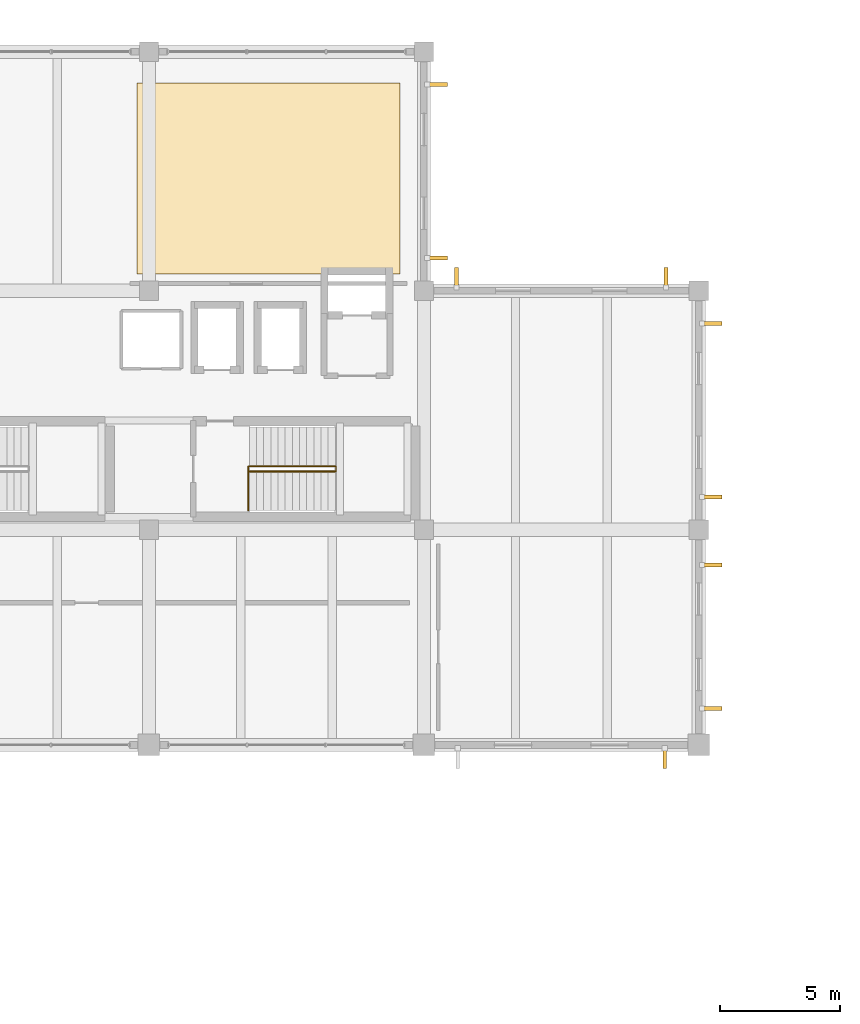
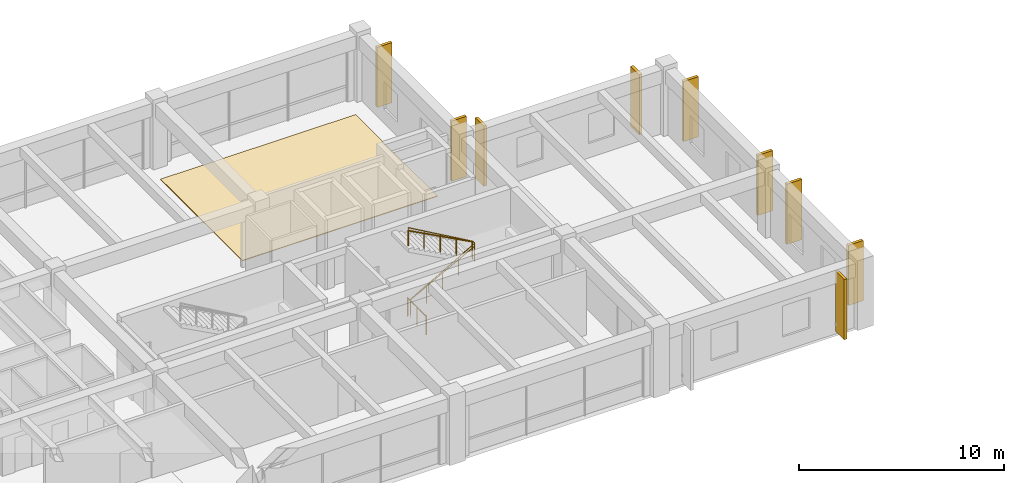
# One storey, part 33 of 33: 9 shading devices, 4 railings, 1 covering.
"""IFC4 building model written with IfcOpenShell, lengths in metres."""

from ifc_helpers import new_model, si_unit, direction, frame, origin, origin_2d, place, context, subcontext, project, spatial, polyline, rectangle, circle, outline, extrude, material, layer, layer_set, type_object, element, save


model = new_model("IFC4")

# Units and contexts
model_context = context("Model", 3, precision=1e-05, world=origin(), true_north=direction((0.0, 1.0)))
body_context = subcontext(model_context, "Body", "Model", "MODEL_VIEW")
ifc_project = project(units=[si_unit("LENGTHUNIT", "METRE"), si_unit("AREAUNIT", "SQUARE_METRE"), si_unit("VOLUMEUNIT", "CUBIC_METRE"), si_unit("PLANEANGLEUNIT", "RADIAN"), si_unit("MASSUNIT", "GRAM", prefix="KILO")], contexts=[model_context])

# Site, building, storey
site_placement = place(None, origin())
site = spatial("IfcSite", under=ifc_project, at=site_placement, CompositionType="ELEMENT")
building_placement = place(site_placement, origin())
building = spatial("IfcBuilding", under=site, at=building_placement, Name="Ologun Quay Terminus", CompositionType="ELEMENT")
storey_placement = place(building_placement, frame((0.0, 0.0, 18.300048828125)))
storey = spatial("IfcBuildingStorey", under=building, at=storey_placement, Name="L04", CompositionType="ELEMENT", Elevation=18.300048828125)

# Covering
ifc_material_1 = material(Name="Steel S355", Category="steel")
ifc_layer_1 = layer(ifc_material_1, 0.044921875)
ifc_layer_set_1 = layer_set([ifc_layer_1], Name="Steel S355")
covering_type = type_object("IfcCoveringType", Name="Anti-Static Raised Access Control Floor 45", PredefinedType="FLOORING", material=ifc_layer_set_1)
covering_placement = place(storey_placement, origin())
element("IfcCovering", 1, at=covering_placement, inside=storey, type_object=covering_type, Name="CV-FL3 Interior Flooring 15", PredefinedType="FLOORING", context=body_context, shape_type="SweptSolid", body=[
    extrude(outline(polyline([(137.5, 105.5), (148.5, 105.5), (148.5, 113.5), (137.5, 113.5), (137.5, 105.5)])), origin(), (0.0, 0.0, 1.0), 0.044921875),
])

# Shading devices
ifc_material_2 = material(Name="Concrete C40/50", Category="concrete")
ifc_layer_2 = layer(ifc_material_2, 0.159912109375)
ifc_layer_set_2 = layer_set([ifc_layer_2], Name="Concrete C40/50")
shading_device_type = type_object("IfcShadingDeviceType", Name="Operations Angled Precast Solar Fin 850x160", PredefinedType="USERDEFINED", material=ifc_layer_set_2)
shading_device_placement = place(storey_placement, frame((159.580078125, 85.2451171875, 0.14990234375), z_axis=(0.0, 0.0, 1.0), x_axis=(1.0, 0.0, 0.0)))
element("IfcShadingDevice", 2, at=shading_device_placement, inside=storey, type_object=shading_device_type, Name="SD-05 Vertical Solar Fin WEW-EW-L04-4-2", ObjectType="SOLAR FIN", PredefinedType="USERDEFINED", context=body_context, shape_type="SweptSolid", body=[
    extrude(rectangle(XDim=0.159912109375, YDim=0.85009765625, at=origin_2d()), origin(), (0.0, 0.0, 1.0), 3.590087890625),
])
for number, where, z_axis, x_axis, name in (
    (3, (161.554931640625, 87.320068359375, 0.14990234375), (0.0, 0.0, 1.0), (1.0, 0.0, 0.0), "SD-05 Vertical Solar Fin WEW-EW-L04-5-1"),
    (4, (161.554931640625, 93.330078125, 0.14990234375), (0.0, 0.0, 1.0), (1.0, 0.0, 0.0), "SD-05 Vertical Solar Fin WEW-EW-L04-5-2"),
    (5, (161.554931640625, 96.169921875, 0.14990234375), (0.0, 0.0, 1.0), (1.0, 0.0, 0.0), "SD-05 Vertical Solar Fin WEW-EW-L04-6-1"),
    (6, (161.554931640625, 103.429931640625, 0.14990234375), (0.0, 0.0, 1.0), (1.0, 0.0, 0.0), "SD-05 Vertical Solar Fin WEW-EW-L04-6-2"),
):
    element("IfcShadingDevice", number, at=place(storey_placement, frame(where, z_axis=z_axis, x_axis=x_axis)), inside=storey, type_object=shading_device_type, Name=name, ObjectType="SOLAR FIN", PredefinedType="USERDEFINED", context=body_context, shape_type="SweptSolid", body=[
        extrude(rectangle(XDim=0.85009765625, YDim=0.159912109375, at=origin_2d()), origin(), (0.0, 0.0, 1.0), 3.590087890625),
    ])
for number, where, z_axis, x_axis, name in (
    (7, (150.8701171875, 105.35498046875, 0.14990234375), (0.0, 0.0, 1.0), (1.0, 0.0, 0.0), "SD-05 Vertical Solar Fin WEW-EW-L04-7-1"),
    (8, (159.6298828125, 105.35498046875, 0.14990234375), (0.0, 0.0, 1.0), (1.0, 0.0, 0.0), "SD-05 Vertical Solar Fin WEW-EW-L04-7-2"),
):
    element("IfcShadingDevice", number, at=place(storey_placement, frame(where, z_axis=z_axis, x_axis=x_axis)), inside=storey, type_object=shading_device_type, Name=name, ObjectType="SOLAR FIN", PredefinedType="USERDEFINED", context=body_context, shape_type="SweptSolid", body=[
        extrude(rectangle(XDim=0.159912109375, YDim=0.85009765625, at=origin_2d()), origin(), (0.0, 0.0, 1.0), 3.590087890625),
    ])
for number, where, z_axis, x_axis, name in (
    (9, (150.054931640625, 106.169921875, 0.14990234375), (0.0, 0.0, 1.0), (1.0, 0.0, 0.0), "SD-05 Vertical Solar Fin WEW-EW-L04-8-1"),
    (10, (150.054931640625, 113.429931640625, 0.14990234375), (0.0, 0.0, 1.0), (1.0, 0.0, 0.0), "SD-05 Vertical Solar Fin WEW-EW-L04-8-2"),
):
    element("IfcShadingDevice", number, at=place(storey_placement, frame(where, z_axis=z_axis, x_axis=x_axis)), inside=storey, type_object=shading_device_type, Name=name, ObjectType="SOLAR FIN", PredefinedType="USERDEFINED", context=body_context, shape_type="SweptSolid", body=[
        extrude(rectangle(XDim=0.85009765625, YDim=0.159912109375, at=origin_2d()), origin(), (0.0, 0.0, 1.0), 3.590087890625),
    ])

# Railings
ifc_material_3 = material(Name="Steel S355", Category="steel")
railing_type_1 = type_object("IfcRailingType", Name="Stair & Landing Steel Guardrail 1100", PredefinedType="GUARDRAIL", material=ifc_material_3)
railing_1_placement = place(storey_placement, frame((142.159912109375, 97.43994140625, 0.0)))
element("IfcRailing", 11, at=railing_1_placement, inside=storey, type_object=railing_type_1, Name="GR-ST Stair Floor Edge Guard ST-E2 L04", PredefinedType="GUARDRAIL", context=body_context, shape_type="SweptSolid", body=[
    extrude(circle(Radius=0.02392578125, at=origin_2d()), frame((0.0, 0.0, 1.076171875), z_axis=(0.0, -1.0, 0.0), x_axis=(1.0, 0.0, 0.0)), (0.0, 0.0, 1.0), 1.829833984375),
    extrude(circle(Radius=0.02099609375, at=origin_2d()), origin(), (0.0, 0.0, 1.0), 1.052001953125),
    extrude(circle(Radius=0.02099609375, at=origin_2d()), frame((0.0, -0.9150390625, 0.0)), (0.0, 0.0, 1.0), 1.052001953125),
    extrude(circle(Radius=0.02099609375, at=origin_2d()), frame((0.0, -1.829833984375, 0.0)), (0.0, 0.0, 1.0), 1.052001953125),
])
railing_2_placement = place(storey_placement, frame((142.199951171875, 97.25, 0.0)))
element("IfcRailing", 12, at=railing_2_placement, inside=storey, type_object=railing_type_1, Name="GR-ST Stair Inner Well Guard ST-E2 L04", PredefinedType="GUARDRAIL", context=body_context, shape_type="SweptSolid", body=[
    extrude(circle(Radius=0.02392578125, at=origin_2d()), frame((0.0, 0.0, 1.076171875), z_axis=(0.867678783561, 0.0, 0.497125264453), x_axis=(0.0, 1.0, 0.0)), (0.0, 0.0, 1.0), 4.183837890625),
    extrude(circle(Radius=0.02392578125, at=origin_2d()), frame((3.630126953125, 0.0, 3.15576171875), z_axis=(0.0, 1.0, 0.0), x_axis=(-1.0, 0.0, 0.0)), (0.0, 0.0, 1.0), 0.199951171875),
    extrude(circle(Radius=0.02392578125, at=origin_2d()), frame((3.630126953125, 0.199951171875, 3.15576171875), z_axis=(-0.867653612089, 0.0, 0.497169195978), x_axis=(0.0, -1.0, 0.0)), (0.0, 0.0, 1.0), 4.183837890625),
    extrude(circle(Radius=0.02099609375, at=origin_2d()), origin(), (0.0, 0.0, 1.0), 1.052001953125),
    extrude(circle(Radius=0.02099609375, at=origin_2d()), frame((0.907470703125, 0.0, 0.52001953125)), (0.0, 0.0, 1.0), 1.052001953125),
    extrude(circle(Radius=0.02099609375, at=origin_2d()), frame((1.81494140625, 0.0, 1.0400390625)), (0.0, 0.0, 1.0), 1.052001953125),
    extrude(circle(Radius=0.02099609375, at=origin_2d()), frame((2.72265625, 0.0, 1.559814453125)), (0.0, 0.0, 1.0), 1.052001953125),
    extrude(circle(Radius=0.02099609375, at=origin_2d()), frame((3.630126953125, 0.0, 2.079833984375)), (0.0, 0.0, 1.0), 1.052001953125),
    extrude(circle(Radius=0.02099609375, at=origin_2d()), frame((3.630126953125, 0.199951171875, 2.079833984375)), (0.0, 0.0, 1.0), 1.052001953125),
    extrude(circle(Radius=0.02099609375, at=origin_2d()), frame((2.72265625, 0.199951171875, 2.599853515625)), (0.0, 0.0, 1.0), 1.052001953125),
    extrude(circle(Radius=0.02099609375, at=origin_2d()), frame((1.81494140625, 0.199951171875, 3.119873046875)), (0.0, 0.0, 1.0), 1.052001953125),
    extrude(circle(Radius=0.02099609375, at=origin_2d()), frame((0.907470703125, 0.199951171875, 3.639892578125)), (0.0, 0.0, 1.0), 1.052001953125),
    extrude(circle(Radius=0.02099609375, at=origin_2d()), frame((0.0, 0.199951171875, 4.159912109375)), (0.0, 0.0, 1.0), 1.052001953125),
])
ifc_material_4 = material(Name="Steel S355", Category="steel")
railing_type_2 = type_object("IfcRailingType", Name="Stair Stainless Tubular Handrail 920", PredefinedType="HANDRAIL", material=ifc_material_4)
railing_3_placement = place(storey_placement, frame((142.199951171875, 97.239990234375, 0.159912109375)))
element("IfcRailing", 13, at=railing_3_placement, inside=storey, type_object=railing_type_2, Name="HR-ST Handrail ST-E2-F1 L04", PredefinedType="HANDRAIL", context=body_context, shape_type="SweptSolid", body=[
    extrude(circle(Radius=0.02392578125, at=origin_2d()), frame((0.0, 0.0, 0.89599609375), z_axis=(0.882366192074, 0.0, 0.470563389019), x_axis=(0.0, 1.0, 0.0)), (0.0, 0.0, 1.0), 4.080078125),
    extrude(circle(Radius=0.02099609375, at=origin_2d()), origin(), (0.0, 0.0, 1.0), 0.871826171875),
    extrude(circle(Radius=0.02099609375, at=origin_2d()), frame((0.89990234375, 0.0, 0.47998046875)), (0.0, 0.0, 1.0), 0.871826171875),
    extrude(circle(Radius=0.02099609375, at=origin_2d()), frame((1.800048828125, 0.0, 0.9599609375)), (0.0, 0.0, 1.0), 0.871826171875),
    extrude(circle(Radius=0.02099609375, at=origin_2d()), frame((2.7001953125, 0.0, 1.43994140625)), (0.0, 0.0, 1.0), 0.871826171875),
    extrude(circle(Radius=0.02099609375, at=origin_2d()), frame((3.60009765625, 0.0, 1.919921875)), (0.0, 0.0, 1.0), 0.871826171875),
])
railing_4_placement = place(storey_placement, frame((145.800048828125, 97.4599609375, 2.239990234375)))
element("IfcRailing", 14, at=railing_4_placement, inside=storey, type_object=railing_type_2, Name="HR-ST Handrail ST-E2-F2 L04", PredefinedType="HANDRAIL", context=body_context, shape_type="SweptSolid", body=[
    extrude(circle(Radius=0.02392578125, at=origin_2d()), frame((0.0, 0.0, 0.89599609375), z_axis=(-0.882366192074, 0.0, 0.470563389019), x_axis=(0.0, -1.0, 0.0)), (0.0, 0.0, 1.0), 4.080078125),
    extrude(circle(Radius=0.02099609375, at=origin_2d()), origin(), (0.0, 0.0, 1.0), 0.871826171875),
    extrude(circle(Radius=0.02099609375, at=origin_2d()), frame((-0.89990234375, 0.0, 0.47998046875)), (0.0, 0.0, 1.0), 0.871826171875),
    extrude(circle(Radius=0.02099609375, at=origin_2d()), frame((-1.800048828125, 0.0, 0.9599609375)), (0.0, 0.0, 1.0), 0.871826171875),
    extrude(circle(Radius=0.02099609375, at=origin_2d()), frame((-2.7001953125, 0.0, 1.43994140625)), (0.0, 0.0, 1.0), 0.871826171875),
    extrude(circle(Radius=0.02099609375, at=origin_2d()), frame((-3.60009765625, 0.0, 1.919921875)), (0.0, 0.0, 1.0), 0.871826171875),
])

save(model, "model.ifc")
